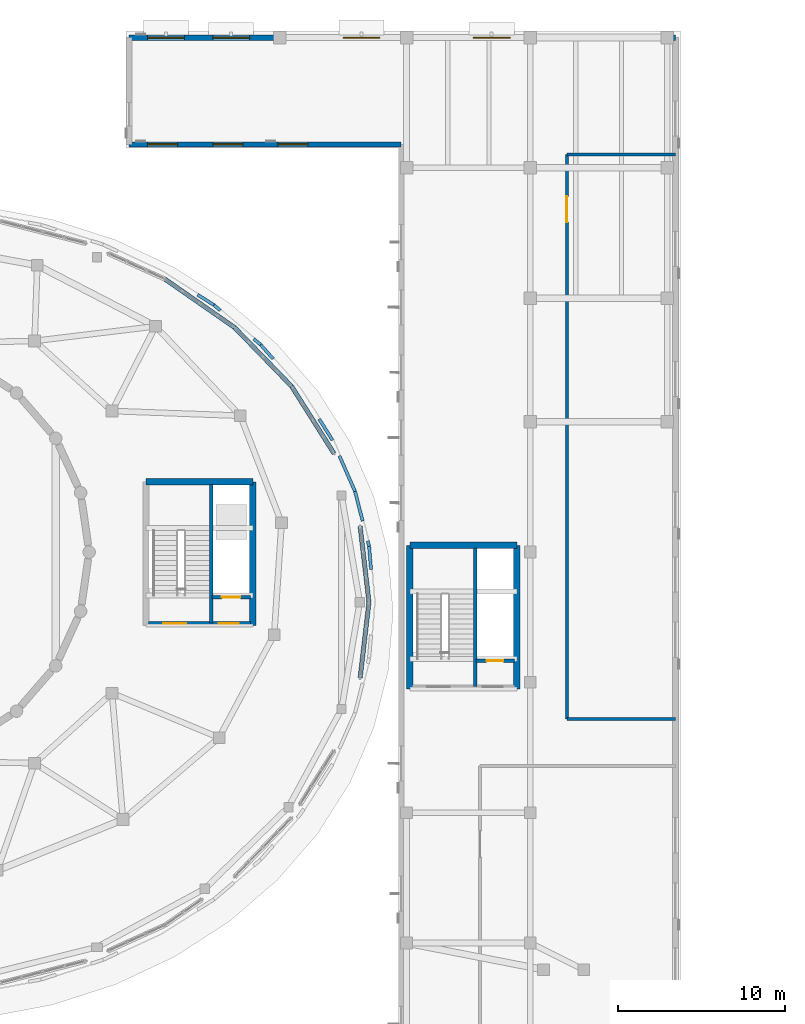
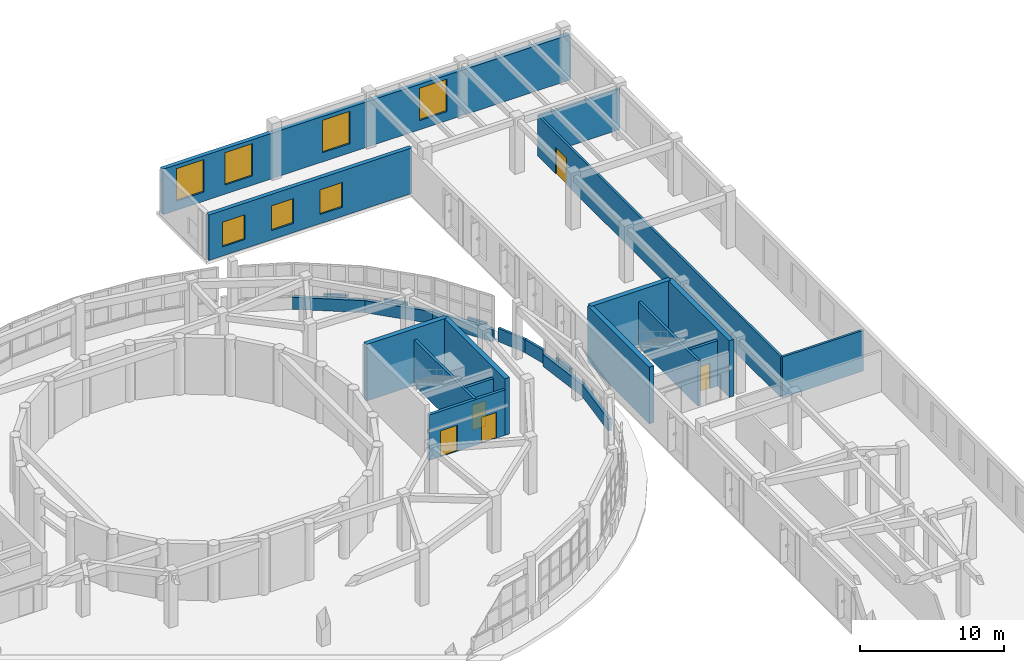
# One storey, part 83 of 98: 29 walls, 7 windows, 5 doors, 12 openings.
"""IFC4 building model written with IfcOpenShell, lengths in metres."""

from ifc_helpers import new_model, si_unit, direction, frame, frame_2d, origin, place, context, subcontext, project, spatial, rectangle, extrude, material, layer, layer_set, type_object, element, fill, save


model = new_model("IFC4")

# Units and contexts
model_context = context("Model", 3, precision=1e-05, world=origin(), true_north=direction((0.0, 1.0)))
body_context = subcontext(model_context, "Body", "Model", "MODEL_VIEW")
ifc_project = project(units=[si_unit("LENGTHUNIT", "METRE"), si_unit("AREAUNIT", "SQUARE_METRE"), si_unit("VOLUMEUNIT", "CUBIC_METRE"), si_unit("PLANEANGLEUNIT", "RADIAN"), si_unit("MASSUNIT", "GRAM", prefix="KILO")], contexts=[model_context])

# Site, building, storey
site_placement = place(None, origin())
site = spatial("IfcSite", under=ifc_project, at=site_placement, CompositionType="ELEMENT")
building_placement = place(site_placement, origin())
building = spatial("IfcBuilding", under=site, at=building_placement, Name="Pelvatis Terrace Science Centre", CompositionType="ELEMENT")
storey_placement = place(building_placement, frame((0.0, 0.0, 5.39990234375)))
storey = spatial("IfcBuildingStorey", under=building, at=storey_placement, Name="L01", CompositionType="ELEMENT", Elevation=5.39990234375)

# Wall, openings, windows
ifc_material_1 = material(Name="Precast concrete C35/45 architectural stone", Category="masonry")
ifc_layer_1 = layer(ifc_material_1, 0.324951171875)
ifc_layer_set_1 = layer_set([ifc_layer_1], Name="Precast concrete C35/45 architectural stone")
wall_type_1 = type_object("IfcWallType", Name="WL-EXT-PREC-325", PredefinedType="SOLIDWALL", material=ifc_layer_set_1)
wall_1_placement = place(storey_placement, frame((124.199951171875, 116.60009765625, 0.0), z_axis=(0.0, 0.0, 1.0), x_axis=(1.0, 0.0, 0.0)))
wall_1 = element("IfcWall", 1, at=wall_1_placement, inside=storey, type_object=wall_type_1, Name="Exterior classical Art Deco facade wall EW-L01-N", PredefinedType="SOLIDWALL", context=body_context, shape_type="SweptSolid", body=[
    extrude(rectangle(XDim=32.699951171875, YDim=0.324951171875, at=frame_2d((16.35009765625, 0.0))), origin(), (0.0, 0.0, 1.0), 3.860107421875),
])
opening_1_placement = place(wall_1_placement, frame((1.10009765625, 0.0, 0.780029296875)))
opening_1 = element("IfcOpeningElement", 2, at=opening_1_placement, cuts=wall_1, Name="Opening W-038", PredefinedType="OPENING", context=body_context, shape_type="SweptSolid", body=[
    extrude(rectangle(XDim=2.199951171875, YDim=2.75, at=frame_2d((1.10009765625, 1.375))), frame((0.0, 0.17236328125, 0.0), z_axis=(0.0, -1.0, 0.0), x_axis=(1.0, 0.0, 0.0)), (0.0, 0.0, 1.0), 0.344970703125),
])
opening_2_placement = place(wall_1_placement, frame((5.0, 0.0, 0.780029296875)))
opening_2 = element("IfcOpeningElement", 3, at=opening_2_placement, cuts=wall_1, Name="Opening W-039", PredefinedType="OPENING", context=body_context, shape_type="SweptSolid", body=[
    extrude(rectangle(XDim=2.199951171875, YDim=2.75, at=frame_2d((1.10009765625, 1.375))), frame((0.0, 0.17236328125, 0.0), z_axis=(0.0, -1.0, 0.0), x_axis=(1.0, 0.0, 0.0)), (0.0, 0.0, 1.0), 0.344970703125),
])
opening_3_placement = place(wall_1_placement, frame((12.800048828125, 0.0, 0.780029296875)))
opening_3 = element("IfcOpeningElement", 4, at=opening_3_placement, cuts=wall_1, Name="Opening W-040", PredefinedType="OPENING", context=body_context, shape_type="SweptSolid", body=[
    extrude(rectangle(XDim=2.199951171875, YDim=2.75, at=frame_2d((1.10009765625, 1.375))), frame((0.0, 0.17236328125, 0.0), z_axis=(0.0, -1.0, 0.0), x_axis=(1.0, 0.0, 0.0)), (0.0, 0.0, 1.0), 0.344970703125),
])
opening_4_placement = place(wall_1_placement, frame((20.60009765625, 0.0, 0.780029296875)))
opening_4 = element("IfcOpeningElement", 5, at=opening_4_placement, cuts=wall_1, Name="Opening W-041", PredefinedType="OPENING", context=body_context, shape_type="SweptSolid", body=[
    extrude(rectangle(XDim=2.199951171875, YDim=2.75, at=frame_2d((1.10009765625, 1.375))), frame((0.0, 0.17236328125, 0.0), z_axis=(0.0, -1.0, 0.0), x_axis=(1.0, 0.0, 0.0)), (0.0, 0.0, 1.0), 0.344970703125),
])
ifc_material_2 = material(Name="Bronze-anodised aluminium and laminated low-e glass", Category="aluminium")
window_type_1 = type_object("IfcWindowType", Name="WIN-AD-2200x2750", PartitioningType="SINGLE_PANEL", PredefinedType="WINDOW", material=ifc_material_2)
window_1_placement = place(opening_1_placement, origin())
window_1 = element("IfcWindow", 6, at=window_1_placement, inside=storey, type_object=window_type_1, Name="Art Deco facade window W-038 (L01)", OverallHeight=2.75, OverallWidth=2.199951171875, PartitioningType="SINGLE_PANEL", PredefinedType="WINDOW", context=body_context, shape_type="SweptSolid", body=[
    extrude(rectangle(XDim=2.199951171875, YDim=2.75, at=frame_2d((1.10009765625, 1.375))), frame((0.0, 0.030029296875, 0.0), z_axis=(0.0, -1.0, 0.0), x_axis=(1.0, 0.0, 0.0)), (0.0, 0.0, 1.0), 0.06005859375),
])
fill(opening_1, window_1)
window_2_placement = place(opening_2_placement, origin())
window_2 = element("IfcWindow", 7, at=window_2_placement, inside=storey, type_object=window_type_1, Name="Art Deco facade window W-039 (L01)", OverallHeight=2.75, OverallWidth=2.199951171875, PartitioningType="SINGLE_PANEL", PredefinedType="WINDOW", context=body_context, shape_type="SweptSolid", body=[
    extrude(rectangle(XDim=2.199951171875, YDim=2.75, at=frame_2d((1.10009765625, 1.375))), frame((0.0, 0.030029296875, 0.0), z_axis=(0.0, -1.0, 0.0), x_axis=(1.0, 0.0, 0.0)), (0.0, 0.0, 1.0), 0.06005859375),
])
fill(opening_2, window_2)
window_3_placement = place(opening_3_placement, origin())
window_3 = element("IfcWindow", 8, at=window_3_placement, inside=storey, type_object=window_type_1, Name="Art Deco facade window W-040 (L01)", OverallHeight=2.75, OverallWidth=2.199951171875, PartitioningType="SINGLE_PANEL", PredefinedType="WINDOW", context=body_context, shape_type="SweptSolid", body=[
    extrude(rectangle(XDim=2.199951171875, YDim=2.75, at=frame_2d((1.10009765625, 1.375))), frame((0.0, 0.030029296875, 0.0), z_axis=(0.0, -1.0, 0.0), x_axis=(1.0, 0.0, 0.0)), (0.0, 0.0, 1.0), 0.06005859375),
])
fill(opening_3, window_3)
window_4_placement = place(opening_4_placement, origin())
window_4 = element("IfcWindow", 9, at=window_4_placement, inside=storey, type_object=window_type_1, Name="Art Deco facade window W-041 (L01)", OverallHeight=2.75, OverallWidth=2.199951171875, PartitioningType="SINGLE_PANEL", PredefinedType="WINDOW", context=body_context, shape_type="SweptSolid", body=[
    extrude(rectangle(XDim=2.199951171875, YDim=2.75, at=frame_2d((1.10009765625, 1.375))), frame((0.0, 0.030029296875, 0.0), z_axis=(0.0, -1.0, 0.0), x_axis=(1.0, 0.0, 0.0)), (0.0, 0.0, 1.0), 0.06005859375),
])
fill(opening_4, window_4)

wall_2_placement = place(storey_placement, frame((124.199951171875, 110.199951171875, 0.0), z_axis=(0.0, 0.0, 1.0), x_axis=(1.0, 0.0, 0.0)))
wall_2 = element("IfcWall", 10, at=wall_2_placement, inside=storey, type_object=wall_type_1, Name="Exterior classical Art Deco facade wall EW-L01-NWS", PredefinedType="SOLIDWALL", context=body_context, shape_type="SweptSolid", body=[
    extrude(rectangle(XDim=16.280029296875, YDim=0.324951171875, at=frame_2d((8.14013671875, 0.0))), origin(), (0.0, 0.0, 1.0), 3.860107421875),
])
opening_5_placement = place(wall_2_placement, frame((1.10009765625, 0.0, 0.780029296875)))
opening_5 = element("IfcOpeningElement", 11, at=opening_5_placement, cuts=wall_2, Name="Opening W-043", PredefinedType="OPENING", context=body_context, shape_type="SweptSolid", body=[
    extrude(rectangle(XDim=1.800048828125, YDim=2.10009765625, at=frame_2d((0.89990234375, 1.050048828125))), frame((0.0, 0.17236328125, 0.0), z_axis=(0.0, -1.0, 0.0), x_axis=(1.0, 0.0, 0.0)), (0.0, 0.0, 1.0), 0.344970703125),
])
opening_6_placement = place(wall_2_placement, frame((5.0, 0.0, 0.780029296875)))
opening_6 = element("IfcOpeningElement", 12, at=opening_6_placement, cuts=wall_2, Name="Opening W-044", PredefinedType="OPENING", context=body_context, shape_type="SweptSolid", body=[
    extrude(rectangle(XDim=1.800048828125, YDim=2.10009765625, at=frame_2d((0.89990234375, 1.050048828125))), frame((0.0, 0.17236328125, 0.0), z_axis=(0.0, -1.0, 0.0), x_axis=(1.0, 0.0, 0.0)), (0.0, 0.0, 1.0), 0.344970703125),
])
opening_7_placement = place(wall_2_placement, frame((8.89990234375, 0.0, 0.780029296875)))
opening_7 = element("IfcOpeningElement", 13, at=opening_7_placement, cuts=wall_2, Name="Opening W-045", PredefinedType="OPENING", context=body_context, shape_type="SweptSolid", body=[
    extrude(rectangle(XDim=1.800048828125, YDim=2.10009765625, at=frame_2d((0.89990234375, 1.050048828125))), frame((0.0, 0.17236328125, 0.0), z_axis=(0.0, -1.0, 0.0), x_axis=(1.0, 0.0, 0.0)), (0.0, 0.0, 1.0), 0.344970703125),
])
ifc_material_3 = material(Name="Bronze-anodised aluminium and laminated low-e glass", Category="aluminium")
window_type_2 = type_object("IfcWindowType", Name="WIN-LAB-1800x2100", PartitioningType="SINGLE_PANEL", PredefinedType="WINDOW", material=ifc_material_3)
window_5_placement = place(opening_5_placement, origin())
window_5 = element("IfcWindow", 14, at=window_5_placement, inside=storey, type_object=window_type_2, Name="Art Deco facade window W-043 (L01)", OverallHeight=2.10009765625, OverallWidth=1.800048828125, PartitioningType="SINGLE_PANEL", PredefinedType="WINDOW", context=body_context, shape_type="SweptSolid", body=[
    extrude(rectangle(XDim=1.800048828125, YDim=2.10009765625, at=frame_2d((0.89990234375, 1.050048828125))), frame((0.0, 0.030029296875, 0.0), z_axis=(0.0, -1.0, 0.0), x_axis=(1.0, 0.0, 0.0)), (0.0, 0.0, 1.0), 0.06005859375),
])
fill(opening_5, window_5)
window_6_placement = place(opening_6_placement, origin())
window_6 = element("IfcWindow", 15, at=window_6_placement, inside=storey, type_object=window_type_2, Name="Art Deco facade window W-044 (L01)", OverallHeight=2.10009765625, OverallWidth=1.800048828125, PartitioningType="SINGLE_PANEL", PredefinedType="WINDOW", context=body_context, shape_type="SweptSolid", body=[
    extrude(rectangle(XDim=1.800048828125, YDim=2.10009765625, at=frame_2d((0.89990234375, 1.050048828125))), frame((0.0, 0.030029296875, 0.0), z_axis=(0.0, -1.0, 0.0), x_axis=(1.0, 0.0, 0.0)), (0.0, 0.0, 1.0), 0.06005859375),
])
fill(opening_6, window_6)
window_7_placement = place(opening_7_placement, origin())
window_7 = element("IfcWindow", 16, at=window_7_placement, inside=storey, type_object=window_type_2, Name="Art Deco facade window W-045 (L01)", OverallHeight=2.10009765625, OverallWidth=1.800048828125, PartitioningType="SINGLE_PANEL", PredefinedType="WINDOW", context=body_context, shape_type="SweptSolid", body=[
    extrude(rectangle(XDim=1.800048828125, YDim=2.10009765625, at=frame_2d((0.89990234375, 1.050048828125))), frame((0.0, 0.030029296875, 0.0), z_axis=(0.0, -1.0, 0.0), x_axis=(1.0, 0.0, 0.0)), (0.0, 0.0, 1.0), 0.06005859375),
])
fill(opening_7, window_7)

# Walls
ifc_material_4 = material(Name="White architectural precast concrete C40/50 spandrel", Category="concrete")
ifc_layer_2 = layer(ifc_material_4, 0.260009765625)
ifc_layer_set_2 = layer_set([ifc_layer_2], Name="White architectural precast concrete C40/50 spandrel")
wall_type_2 = type_object("IfcWallType", Name="WL-EXT-SPND-260", PredefinedType="SOLIDWALL", material=ifc_layer_set_2)
wall_3_placement = place(storey_placement, frame((138.550048828125, 82.800048828125, 0.0), z_axis=(0.0, 0.0, 1.0), x_axis=(-0.115488589871, 0.993308806771, 0.0)))
element("IfcWall", 17, at=wall_3_placement, inside=storey, type_object=wall_type_2, Name="V1 white spiral spandrel band 01 (L01)", PredefinedType="SOLIDWALL", context=body_context, shape_type="SweptSolid", body=[
    extrude(rectangle(XDim=4.566162109375, YDim=0.260009765625, at=frame_2d((2.283203125, 0.0))), origin(), (0.0, 0.0, 1.0), 1.02001953125),
])
wall_4_placement = place(storey_placement, frame((136.46044921875, 91.697509765625, 0.0), z_axis=(0.0, 0.0, 1.0), x_axis=(-0.533687611515, 0.845681697399, 0.0)))
element("IfcWall", 18, at=wall_4_placement, inside=storey, type_object=wall_type_2, Name="V1 white spiral spandrel band 03 (L01)", PredefinedType="SOLIDWALL", context=body_context, shape_type="SweptSolid", body=[
    extrude(rectangle(XDim=4.7529296875, YDim=0.260009765625, at=frame_2d((2.37646484375, 0.0))), origin(), (0.0, 0.0, 1.0), 1.02001953125),
])
wall_5_placement = place(storey_placement, frame((133.923828125, 95.717041015625, 0.0), z_axis=(0.0, 0.0, 1.0), x_axis=(-0.695871427132, 0.718166385249, 0.0)))
element("IfcWall", 19, at=wall_5_placement, inside=storey, type_object=wall_type_2, Name="V1 white spiral spandrel band 04 (L01)", PredefinedType="SOLIDWALL", context=body_context, shape_type="SweptSolid", body=[
    extrude(rectangle(XDim=4.90576171875, YDim=0.260009765625, at=frame_2d((2.452880859375, 0.0))), origin(), (0.0, 0.0, 1.0), 1.02001953125),
])
wall_6_placement = place(storey_placement, frame((130.510009765625, 99.240234375, 0.0), z_axis=(0.0, 0.0, 1.0), x_axis=(-0.821120264436, 0.570755211393, 0.0)))
element("IfcWall", 20, at=wall_6_placement, inside=storey, type_object=wall_type_2, Name="V1 white spiral spandrel band 05 (L01)", PredefinedType="SOLIDWALL", context=body_context, shape_type="SweptSolid", body=[
    extrude(rectangle(XDim=5.06591796875, YDim=0.260009765625, at=frame_2d((2.532958984375, 0.0))), origin(), (0.0, 0.0, 1.0), 1.02001953125),
])
wall_7_placement = place(storey_placement, frame((138.022705078125, 78.26416015625, 0.0), z_axis=(0.0, 0.0, 1.0), x_axis=(0.11548245669, 0.993309519836, 0.0)))
element("IfcWall", 21, at=wall_7_placement, inside=storey, type_object=wall_type_2, Name="V1 white spiral spandrel band 32 (L01)", PredefinedType="SOLIDWALL", context=body_context, shape_type="SweptSolid", body=[
    extrude(rectangle(XDim=4.56640625, YDim=0.260009765625, at=frame_2d((2.283203125, 0.0))), origin(), (0.0, 0.0, 1.0), 1.02001953125),
])
ifc_material_5 = material(Name="Concrete C35/45 shaft dividing wall", Category="concrete")
ifc_layer_3 = layer(ifc_material_5, 0.2099609375)
ifc_layer_set_3 = layer_set([ifc_layer_3], Name="Concrete C35/45 shaft dividing wall")
wall_type_3 = type_object("IfcWallType", Name="WL-INT-CORE-210", PredefinedType="PARTITIONING", material=ifc_layer_set_3)
for number, where, z_axis, x_axis, name in (
    (22, (129.10009765625, 81.550048828125, 0.0), (0.0, 0.0, 1.0), (0.0, 1.0, 0.0), "Core C2 stair-lift shaft fire wall (L01)"),
    (23, (144.89990234375, 77.75, 0.0), (0.0, 0.0, 1.0), (0.0, 1.0, 0.0), "Core C3 stair-lift shaft fire wall (L01)"),
):
    element("IfcWall", number, at=place(storey_placement, frame(where, z_axis=z_axis, x_axis=x_axis)), inside=storey, type_object=wall_type_3, Name=name, PredefinedType="PARTITIONING", context=body_context, shape_type="SweptSolid", body=[
        extrude(rectangle(XDim=8.300048828125, YDim=0.2099609375, at=frame_2d((4.14990234375, 0.0))), origin(), (0.0, 0.0, 1.0), 3.860107421875),
    ])

# Wall, opening, door
ifc_material_6 = material(Name="Concrete C35/45 stair enclosure wall", Category="concrete")
ifc_layer_4 = layer(ifc_material_6, 0.22509765625)
ifc_layer_set_4 = layer_set([ifc_layer_4], Name="Concrete C35/45 stair enclosure wall")
wall_type_4 = type_object("IfcWallType", Name="WL-INT-CORE-225", PredefinedType="PARTITIONING", material=ifc_layer_set_4)
wall_8_placement = place(storey_placement, frame((129.14990234375, 83.10009765625, 0.0), z_axis=(0.0, 0.0, 1.0), x_axis=(1.0, 0.0, 0.0)))
wall_8 = element("IfcWall", 24, at=wall_8_placement, inside=storey, type_object=wall_type_4, Name="Core C2 lift shaft landing wall (L01)", PredefinedType="PARTITIONING", context=body_context, shape_type="SweptSolid", body=[
    extrude(rectangle(XDim=2.300048828125, YDim=0.22509765625, at=frame_2d((1.14990234375, 0.0))), origin(), (0.0, 0.0, 1.0), 3.860107421875),
])
opening_8_placement = place(wall_8_placement, frame((0.60009765625, 0.0, 0.0)))
opening_8 = element("IfcOpeningElement", 25, at=opening_8_placement, cuts=wall_8, Name="Opening LD-C2-3", PredefinedType="OPENING", context=body_context, shape_type="SweptSolid", body=[
    extrude(rectangle(XDim=1.10009765625, YDim=2.14990234375, at=frame_2d((0.550048828125, 1.074951171875))), frame((0.0, 0.12255859375, 0.0), z_axis=(0.0, -1.0, 0.0), x_axis=(1.0, 0.0, 0.0)), (0.0, 0.0, 1.0), 0.2451171875),
])
ifc_material_7 = material(Name="Stainless steel sliding fire-fighting lift landing door", Category="steel")
door_type_1 = type_object("IfcDoorType", Name="DR-LIFT-1100x2150", OperationType="NOTDEFINED", PredefinedType="DOOR", material=ifc_material_7)
door_1_placement = place(opening_8_placement, origin())
door_1 = element("IfcDoor", 26, at=door_1_placement, inside=storey, type_object=door_type_1, Name="Lift LF-02 sliding landing door (L01)", OperationType="SLIDING_TO_LEFT", OverallHeight=2.14990234375, OverallWidth=1.10009765625, PredefinedType="DOOR", context=body_context, shape_type="SweptSolid", body=[
    extrude(rectangle(XDim=1.10009765625, YDim=2.14990234375, at=frame_2d((0.550048828125, 1.074951171875))), frame((0.0, 0.02490234375, 0.0), z_axis=(0.0, -1.0, 0.0), x_axis=(1.0, 0.0, 0.0)), (0.0, 0.0, 1.0), 0.050048828125),
])
fill(opening_8, door_1)

wall_9_placement = place(storey_placement, frame((144.949951171875, 79.300048828125, 0.0), z_axis=(0.0, 0.0, 1.0), x_axis=(1.0, 0.0, 0.0)))
wall_9 = element("IfcWall", 27, at=wall_9_placement, inside=storey, type_object=wall_type_4, Name="Core C3 lift shaft landing wall (L01)", PredefinedType="PARTITIONING", context=body_context, shape_type="SweptSolid", body=[
    extrude(rectangle(XDim=2.300048828125, YDim=0.22509765625, at=frame_2d((1.14990234375, 0.0))), origin(), (0.0, 0.0, 1.0), 3.860107421875),
])
opening_9_placement = place(wall_9_placement, frame((0.64990234375, 0.0, 0.0)))
opening_9 = element("IfcOpeningElement", 28, at=opening_9_placement, cuts=wall_9, Name="Opening LD-C3-3", PredefinedType="OPENING", context=body_context, shape_type="SweptSolid", body=[
    extrude(rectangle(XDim=1.0, YDim=2.14990234375, at=frame_2d((0.5, 1.074951171875))), frame((0.0, 0.12255859375, 0.0), z_axis=(0.0, -1.0, 0.0), x_axis=(1.0, 0.0, 0.0)), (0.0, 0.0, 1.0), 0.2451171875),
])
ifc_material_8 = material(Name="Bronze-clad sliding passenger lift landing door", Category="steel")
door_type_2 = type_object("IfcDoorType", Name="DR-LIFT-1000x2150", OperationType="NOTDEFINED", PredefinedType="DOOR", material=ifc_material_8)
door_2_placement = place(opening_9_placement, origin())
door_2 = element("IfcDoor", 29, at=door_2_placement, inside=storey, type_object=door_type_2, Name="Lift LF-05 sliding landing door (L01)", OperationType="SLIDING_TO_LEFT", OverallHeight=2.14990234375, OverallWidth=1.0, PredefinedType="DOOR", context=body_context, shape_type="SweptSolid", body=[
    extrude(rectangle(XDim=1.0, YDim=2.14990234375, at=frame_2d((0.5, 1.074951171875))), frame((0.0, 0.02490234375, 0.0), z_axis=(0.0, -1.0, 0.0), x_axis=(1.0, 0.0, 0.0)), (0.0, 0.0, 1.0), 0.050048828125),
])
fill(opening_9, door_2)

# Wall, openings, doors
ifc_material_9 = material(Name="Concrete C35/45 shaft enclosure wall", Category="concrete")
ifc_layer_5 = layer(ifc_material_9, 0.239990234375)
ifc_layer_set_5 = layer_set([ifc_layer_5], Name="Concrete C35/45 shaft enclosure wall")
wall_type_5 = type_object("IfcWallType", Name="WL-INT-CORE-240", PredefinedType="PARTITIONING", material=ifc_layer_set_5)
wall_10_placement = place(storey_placement, frame((125.35009765625, 81.52001953125, 0.0), z_axis=(0.0, 0.0, 1.0), x_axis=(1.0, 0.0, 0.0)))
wall_10 = element("IfcWall", 30, at=wall_10_placement, inside=storey, type_object=wall_type_5, Name="Core C2 fire-rated lobby wall (L01)", PredefinedType="PARTITIONING", context=body_context, shape_type="SweptSolid", body=[
    extrude(rectangle(XDim=6.099853515625, YDim=0.239990234375, at=frame_2d((3.0498046875, 0.0))), origin(), (0.0, 0.0, 1.0), 3.860107421875),
])
opening_10_placement = place(wall_10_placement, frame((0.89990234375, 0.0, 0.0)))
opening_10 = element("IfcOpeningElement", 31, at=opening_10_placement, cuts=wall_10, Name="Opening D-119", PredefinedType="OPENING", context=body_context, shape_type="SweptSolid", body=[
    extrude(rectangle(XDim=1.35009765625, YDim=2.199951171875, at=frame_2d((0.675048828125, 1.10009765625))), frame((0.0, 0.1298828125, 0.0), z_axis=(0.0, -1.0, 0.0), x_axis=(1.0, 0.0, 0.0)), (0.0, 0.0, 1.0), 0.260009765625),
])
opening_11_placement = place(wall_10_placement, frame((4.199951171875, 0.0, 0.0)))
opening_11 = element("IfcOpeningElement", 32, at=opening_11_placement, cuts=wall_10, Name="Opening D-120", PredefinedType="OPENING", context=body_context, shape_type="SweptSolid", body=[
    extrude(rectangle(XDim=1.199951171875, YDim=2.199951171875, at=frame_2d((0.60009765625, 1.10009765625))), frame((0.0, 0.1298828125, 0.0), z_axis=(0.0, -1.0, 0.0), x_axis=(1.0, 0.0, 0.0)), (0.0, 0.0, 1.0), 0.260009765625),
])
ifc_material_10 = material(Name="Steel fire-rated exit stair door", Category="steel")
door_type_3 = type_object("IfcDoorType", Name="DR-STAIR-1200x2200", OperationType="NOTDEFINED", PredefinedType="DOOR", material=ifc_material_10)
door_3_placement = place(opening_11_placement, origin())
door_3 = element("IfcDoor", 33, at=door_3_placement, inside=storey, type_object=door_type_3, Name="Core C2 lift lobby fire door (L01)", OperationType="SINGLE_SWING_RIGHT", OverallHeight=2.199951171875, OverallWidth=1.199951171875, PredefinedType="DOOR", context=body_context, shape_type="SweptSolid", body=[
    extrude(rectangle(XDim=1.199951171875, YDim=2.199951171875, at=frame_2d((0.60009765625, 1.10009765625))), frame((0.0, 0.02490234375, 0.0), z_axis=(0.0, -1.0, 0.0), x_axis=(1.0, 0.0, 0.0)), (0.0, 0.0, 1.0), 0.050048828125),
])
fill(opening_11, door_3)
ifc_material_11 = material(Name="Steel fire-rated protected stair door", Category="steel")
door_type_4 = type_object("IfcDoorType", Name="DR-STAIR-1350x2200", OperationType="NOTDEFINED", PredefinedType="DOOR", material=ifc_material_11)
door_4_placement = place(opening_10_placement, origin())
door_4 = element("IfcDoor", 34, at=door_4_placement, inside=storey, type_object=door_type_4, Name="Core C2 protected stair fire door (L01)", OperationType="SINGLE_SWING_LEFT", OverallHeight=2.199951171875, OverallWidth=1.35009765625, PredefinedType="DOOR", context=body_context, shape_type="SweptSolid", body=[
    extrude(rectangle(XDim=1.35009765625, YDim=2.199951171875, at=frame_2d((0.675048828125, 1.10009765625))), frame((0.0, 0.02490234375, 0.0), z_axis=(0.0, -1.0, 0.0), x_axis=(1.0, 0.0, 0.0)), (0.0, 0.0, 1.0), 0.050048828125),
])
fill(opening_10, door_4)

# Walls
ifc_material_12 = material(Name="Moisture-resistant laboratory partition", Category="masonry")
ifc_layer_6 = layer(ifc_material_12, 0.175048828125)
ifc_layer_set_6 = layer_set([ifc_layer_6], Name="Moisture-resistant laboratory partition")
wall_type_6 = type_object("IfcWallType", Name="WL-INT-LAB-175", PredefinedType="PARTITIONING", material=ifc_layer_set_6)
for number, where, z_axis, x_axis, name in (
    (35, (150.39990234375, 75.800048828125, 0.0), (0.0, 0.0, 1.0), (1.0, 0.0, 0.0), "Biotechnology and Genetics Teaching Laboratory 4 partition wall S"),
    (36, (156.89990234375, 109.60009765625, 0.0), (0.0, 0.0, 1.0), (-1.0, 0.0, 0.0), "Biotechnology and Genetics Teaching Laboratory 4 partition wall N"),
):
    element("IfcWall", number, at=place(storey_placement, frame(where, z_axis=z_axis, x_axis=x_axis)), inside=storey, type_object=wall_type_6, Name=name, PredefinedType="PARTITIONING", context=body_context, shape_type="SweptSolid", body=[
        extrude(rectangle(XDim=6.5, YDim=0.175048828125, at=frame_2d((3.25, 0.0))), origin(), (0.0, 0.0, 1.0), 3.4501953125),
    ])

# Wall, opening, door
wall_11_placement = place(storey_placement, frame((150.39990234375, 109.60009765625, 0.0), z_axis=(0.0, 0.0, 1.0), x_axis=(0.0, -1.0, 0.0)))
wall_11 = element("IfcWall", 37, at=wall_11_placement, inside=storey, type_object=wall_type_6, Name="Biotechnology and Genetics Teaching Laboratory 4 partition wall W", PredefinedType="PARTITIONING", context=body_context, shape_type="SweptSolid", body=[
    extrude(rectangle(XDim=33.800048828125, YDim=0.175048828125, at=frame_2d((16.89990234375, 0.0))), origin(), (0.0, 0.0, 1.0), 3.4501953125),
])
opening_12_placement = place(wall_11_placement, frame((2.5029296875, 0.0, 0.0)))
opening_12 = element("IfcOpeningElement", 38, at=opening_12_placement, cuts=wall_11, Name="Opening D-197", PredefinedType="OPENING", context=body_context, shape_type="SweptSolid", body=[
    extrude(rectangle(XDim=1.550048828125, YDim=2.25, at=frame_2d((0.77490234375, 1.125))), frame((0.0, 0.097412109375, 0.0), z_axis=(0.0, -1.0, 0.0), x_axis=(1.0, 0.0, 0.0)), (0.0, 0.0, 1.0), 0.195068359375),
])
ifc_material_13 = material(Name="Leaf-and-a-half laboratory equipment fire door", Category="wood")
door_type_5 = type_object("IfcDoorType", Name="DR-LAB-1550x2250", OperationType="NOTDEFINED", PredefinedType="DOOR", material=ifc_material_13)
door_5_placement = place(opening_12_placement, origin())
door_5 = element("IfcDoor", 39, at=door_5_placement, inside=storey, type_object=door_type_5, Name="Biotechnology and Genetics Teaching Laboratory 4 entrance door", OperationType="DOUBLE_DOOR_SINGLE_SWING", OverallHeight=2.25, OverallWidth=1.550048828125, PredefinedType="DOOR", context=body_context, shape_type="SweptSolid", body=[
    extrude(rectangle(XDim=1.550048828125, YDim=2.25, at=frame_2d((0.77490234375, 1.125))), frame((0.0, 0.02490234375, 0.0), z_axis=(0.0, -1.0, 0.0), x_axis=(1.0, 0.0, 0.0)), (0.0, 0.0, 1.0), 0.050048828125),
])
fill(opening_12, door_5)

# Walls
ifc_material_14 = material(Name="White architectural precast concrete C40/50 spandrel parapet", Category="concrete")
ifc_layer_7 = layer(ifc_material_14, 0.18994140625)
ifc_layer_set_7 = layer_set([ifc_layer_7], Name="White architectural precast concrete C40/50 spandrel parapet")
wall_type_7 = type_object("IfcWallType", Name="WL-PAR-190", PredefinedType="PARAPET", material=ifc_layer_set_7)
wall_12_placement = place(storey_placement, frame((128.289794921875, 101.209716796875, 0.0), z_axis=(0.0, 0.0, 1.0), x_axis=(0.844051090115, -0.536262768869, 0.0)))
element("IfcWall", 40, at=wall_12_placement, inside=storey, type_object=wall_type_7, Name="Perimeter edge closure parapet PW-EDG-L01-137", PredefinedType="PARAPET", context=body_context, shape_type="SweptSolid", body=[
    extrude(rectangle(XDim=1.160400390625, YDim=0.18994140625, at=frame_2d((0.580078125, 0.0))), origin(), (0.0, 0.0, 1.0), 1.1201171875),
])
wall_13_placement = place(storey_placement, frame((129.269287109375, 100.58740234375, 0.0), z_axis=(0.0, 0.0, 1.0), x_axis=(0.762326003546, -0.647193220234, 0.0)))
element("IfcWall", 41, at=wall_13_placement, inside=storey, type_object=wall_type_7, Name="Perimeter edge closure parapet PW-EDG-L01-138", PredefinedType="PARAPET", context=body_context, shape_type="SweptSolid", body=[
    extrude(rectangle(XDim=0.498291015625, YDim=0.18994140625, at=frame_2d((0.2490234375, 0.0))), origin(), (0.0, 0.0, 1.0), 1.1201171875),
])
wall_14_placement = place(storey_placement, frame((131.652099609375, 98.564697265625, 0.0), z_axis=(0.0, 0.0, 1.0), x_axis=(0.762314926118, -0.647206268061, 0.0)))
element("IfcWall", 42, at=wall_14_placement, inside=storey, type_object=wall_type_7, Name="Perimeter edge closure parapet PW-EDG-L01-139", PredefinedType="PARAPET", context=body_context, shape_type="SweptSolid", body=[
    extrude(rectangle(XDim=0.545166015625, YDim=0.18994140625, at=frame_2d((0.2724609375, 0.0))), origin(), (0.0, 0.0, 1.0), 1.1201171875),
])
wall_15_placement = place(storey_placement, frame((132.067626953125, 98.2119140625, 0.0), z_axis=(0.0, 0.0, 1.0), x_axis=(0.661378394629, -0.750052410914, 0.0)))
element("IfcWall", 43, at=wall_15_placement, inside=storey, type_object=wall_type_7, Name="Perimeter edge closure parapet PW-EDG-L01-140", PredefinedType="PARAPET", context=body_context, shape_type="SweptSolid", body=[
    extrude(rectangle(XDim=1.12890625, YDim=0.18994140625, at=frame_2d((0.564453125, 0.0))), origin(), (0.0, 0.0, 1.0), 1.1201171875),
])
wall_16_placement = place(storey_placement, frame((135.57080078125, 93.7626953125, 0.0), z_axis=(0.0, 0.0, 1.0), x_axis=(0.533814590747, -0.845601550794, 0.0)))
element("IfcWall", 44, at=wall_16_placement, inside=storey, type_object=wall_type_7, Name="Perimeter edge closure parapet PW-EDG-L01-141", PredefinedType="PARAPET", context=body_context, shape_type="SweptSolid", body=[
    extrude(rectangle(XDim=1.4931640625, YDim=0.18994140625, at=frame_2d((0.74658203125, 0.0))), origin(), (0.0, 0.0, 1.0), 1.1201171875),
])
wall_17_placement = place(storey_placement, frame((136.781494140625, 91.558349609375, 0.0), z_axis=(0.0, 0.0, 1.0), x_axis=(0.402277699058, -0.915517696629, 0.0)))
element("IfcWall", 45, at=wall_17_placement, inside=storey, type_object=wall_type_7, Name="Perimeter edge closure parapet PW-EDG-L01-142", PredefinedType="PARAPET", context=body_context, shape_type="SweptSolid", body=[
    extrude(rectangle(XDim=2.32568359375, YDim=0.18994140625, at=frame_2d((1.162841796875, 0.0))), origin(), (0.0, 0.0, 1.0), 1.1201171875),
])
wall_18_placement = place(storey_placement, frame((137.717041015625, 89.42919921875, 0.0), z_axis=(0.0, 0.0, 1.0), x_axis=(0.248260114837, -0.968693406286, 0.0)))
element("IfcWall", 46, at=wall_18_placement, inside=storey, type_object=wall_type_7, Name="Perimeter edge closure parapet PW-EDG-L01-143", PredefinedType="PARAPET", context=body_context, shape_type="SweptSolid", body=[
    extrude(rectangle(XDim=1.8349609375, YDim=0.18994140625, at=frame_2d((0.91748046875, 0.0))), origin(), (0.0, 0.0, 1.0), 1.1201171875),
])
wall_19_placement = place(storey_placement, frame((138.475830078125, 86.46728515625, 0.0), z_axis=(0.0, 0.0, 1.0), x_axis=(0.248643198776, -0.96859514747, 0.0)))
element("IfcWall", 47, at=wall_19_placement, inside=storey, type_object=wall_type_7, Name="Perimeter edge closure parapet PW-EDG-L01-144", PredefinedType="PARAPET", context=body_context, shape_type="SweptSolid", body=[
    extrude(rectangle(XDim=0.328857421875, YDim=0.18994140625, at=frame_2d((0.16455078125, 0.0))), origin(), (0.0, 0.0, 1.0), 1.1201171875),
])
wall_20_placement = place(storey_placement, frame((138.5576171875, 86.148681640625, 0.0), z_axis=(0.0, 0.0, 1.0), x_axis=(0.083926285335, -0.996471965802, 0.0)))
element("IfcWall", 48, at=wall_20_placement, inside=storey, type_object=wall_type_7, Name="Perimeter edge closure parapet PW-EDG-L01-145", PredefinedType="PARAPET", context=body_context, shape_type="SweptSolid", body=[
    extrude(rectangle(XDim=1.399169921875, YDim=0.18994140625, at=frame_2d((0.69970703125, 0.0))), origin(), (0.0, 0.0, 1.0), 1.1201171875),
])
ifc_material_15 = material(Name="Concrete C40/50", Category="concrete")
ifc_layer_8 = layer(ifc_material_15, 0.3798828125)
ifc_layer_set_8 = layer_set([ifc_layer_8], Name="Concrete C40/50")
wall_type_8 = type_object("IfcWallType", Name="WL-SHR-380", PredefinedType="SHEAR", material=ifc_layer_set_8)
wall_21_placement = place(storey_placement, frame((125.199951171875, 90.0, 0.0), z_axis=(0.0, 0.0, 1.0), x_axis=(1.0, 0.0, 0.0)))
element("IfcWall", 49, at=wall_21_placement, inside=storey, type_object=wall_type_8, Name="Core C2 shear wall N (L01)", PredefinedType="SHEAR", context=body_context, shape_type="SweptSolid", body=[
    extrude(rectangle(XDim=6.400146484375, YDim=0.3798828125, at=frame_2d((3.2001953125, 0.0))), origin(), (0.0, 0.0, 1.0), 4.800048828125),
])
wall_22_placement = place(storey_placement, frame((131.60009765625, 81.39990234375, 0.0), z_axis=(0.0, 0.0, 1.0), x_axis=(0.0, 1.0, 0.0)))
element("IfcWall", 50, at=wall_22_placement, inside=storey, type_object=wall_type_8, Name="Core C2 shear wall E (L01)", PredefinedType="SHEAR", context=body_context, shape_type="SweptSolid", body=[
    extrude(rectangle(XDim=8.60009765625, YDim=0.3798828125, at=frame_2d((4.300048828125, 0.0))), origin(), (0.0, 0.0, 1.0), 4.800048828125),
])
wall_23_placement = place(storey_placement, frame((141.0, 86.199951171875, 0.0), z_axis=(0.0, 0.0, 1.0), x_axis=(1.0, 0.0, 0.0)))
element("IfcWall", 51, at=wall_23_placement, inside=storey, type_object=wall_type_8, Name="Core C3 shear wall N (L01)", PredefinedType="SHEAR", context=body_context, shape_type="SweptSolid", body=[
    extrude(rectangle(XDim=6.39990234375, YDim=0.3798828125, at=frame_2d((3.199951171875, 0.0))), origin(), (0.0, 0.0, 1.0), 4.800048828125),
])
for number, where, z_axis, x_axis, name in (
    (52, (141.0, 77.60009765625, 0.0), (0.0, 0.0, 1.0), (0.0, 1.0, 0.0), "Core C3 shear wall W (L01)"),
    (53, (147.39990234375, 77.60009765625, 0.0), (0.0, 0.0, 1.0), (0.0, 1.0, 0.0), "Core C3 shear wall E (L01)"),
):
    element("IfcWall", number, at=place(storey_placement, frame(where, z_axis=z_axis, x_axis=x_axis)), inside=storey, type_object=wall_type_8, Name=name, PredefinedType="SHEAR", context=body_context, shape_type="SweptSolid", body=[
        extrude(rectangle(XDim=8.599853515625, YDim=0.3798828125, at=frame_2d((4.2998046875, 0.0))), origin(), (0.0, 0.0, 1.0), 4.800048828125),
    ])

save(model, "model.ifc")
